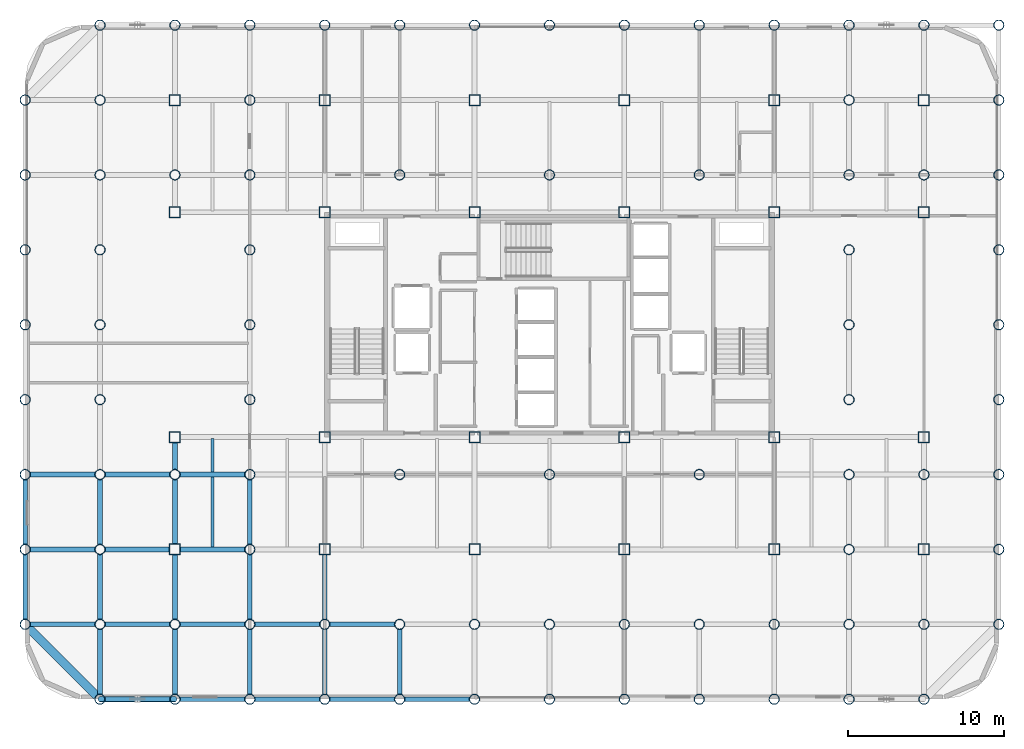
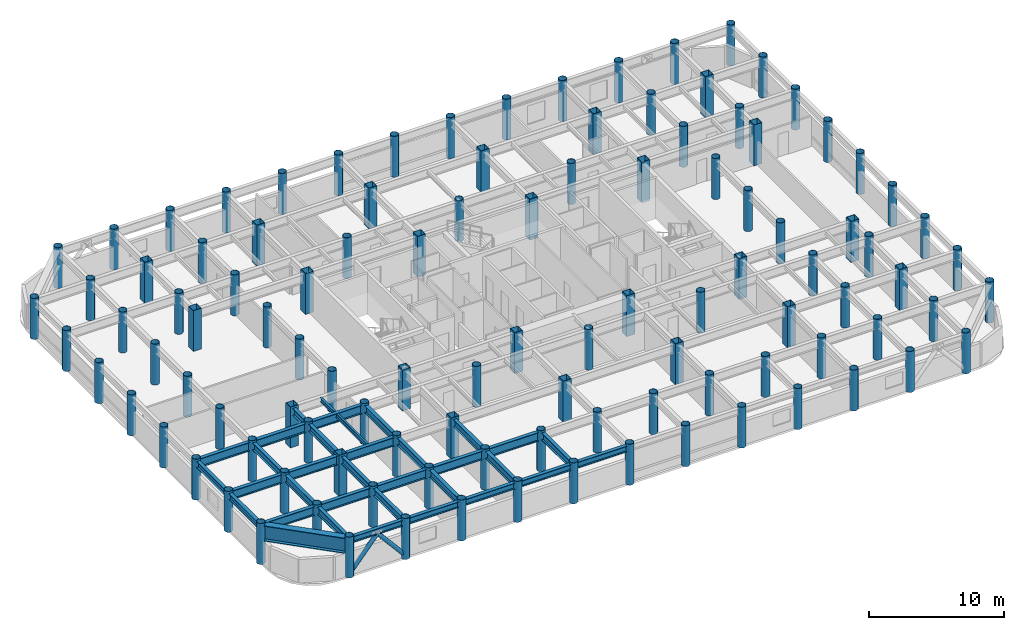
# One storey, part 1 of 19: 108 columns, 33 beams, 2 members.
"""IFC4 building model written with IfcOpenShell, lengths in metres."""

from ifc_helpers import new_model, si_unit, direction, frame, origin, origin_2d, place, context, subcontext, project, spatial, hollow_rectangle, hollow_circle, i_section, extrude, material, material_profile, profile_set, type_object, element, save


model = new_model("IFC4")

# Units and contexts
model_context = context("Model", 3, precision=1e-05, world=origin(), true_north=direction((0.0, 1.0)))
body_context = subcontext(model_context, "Body", "Model", "MODEL_VIEW")
ifc_project = project(units=[si_unit("LENGTHUNIT", "METRE"), si_unit("AREAUNIT", "SQUARE_METRE"), si_unit("VOLUMEUNIT", "CUBIC_METRE"), si_unit("PLANEANGLEUNIT", "RADIAN"), si_unit("MASSUNIT", "GRAM", prefix="KILO")], contexts=[model_context])

# Site, building, storey
site_placement = place(None, origin())
site = spatial("IfcSite", under=ifc_project, at=site_placement, CompositionType="ELEMENT")
building_placement = place(site_placement, origin())
building = spatial("IfcBuilding", under=site, at=building_placement, Name="Kallvorn Hotel Tower", CompositionType="ELEMENT")
storey_placement = place(building_placement, frame((0.0, 0.0, 165.5)))
storey = spatial("IfcBuildingStorey", under=building, at=storey_placement, Name="L41", CompositionType="ELEMENT", Elevation=165.5)

# Columns
ifc_material_1 = material(Name="Structural steel S355J2H", Category="steel")
ifc_material_profile_1 = material_profile(ifc_material_1, hollow_circle(Radius=0.330078125, WallThickness=0.028076171875, at=origin_2d()), Name="CHS 660x28")
ifc_profile_set_1 = profile_set([ifc_material_profile_1], Name="Structural steel S355J2H")
column_type_1 = type_object("IfcColumnType", Name="COL_CHS_660", PredefinedType="COLUMN", material=ifc_profile_set_1)
for number, where, z_axis, x_axis, name in (
    (1, (-33.60009765625, -19.199951171875, 0.0), (0.0, 0.0, 1.0), (1.0, 0.0, 0.0), "L41 Exoskeleton Column EC01"),
    (2, (-33.60009765625, -14.39990234375, 0.0), (0.0, 0.0, 1.0), (1.0, 0.0, 0.0), "L41 Exoskeleton Column EC02"),
    (3, (-33.60009765625, -9.60009765625, 0.0), (0.0, 0.0, 1.0), (1.0, 0.0, 0.0), "L41 Exoskeleton Column EC03"),
    (4, (-33.60009765625, -4.800048828125, 0.0), (0.0, 0.0, 1.0), (1.0, 0.0, 0.0), "L41 Exoskeleton Column EC04"),
    (5, (-33.60009765625, 0.0, 0.0), (0.0, 0.0, 1.0), (1.0, 0.0, 0.0), "L41 Exoskeleton Column EC05"),
    (6, (-33.60009765625, 4.800048828125, 0.0), (0.0, 0.0, 1.0), (1.0, 0.0, 0.0), "L41 Exoskeleton Column EC06"),
    (7, (-33.60009765625, 9.60009765625, 0.0), (0.0, 0.0, 1.0), (1.0, 0.0, 0.0), "L41 Exoskeleton Column EC07"),
    (8, (-33.60009765625, 14.39990234375, 0.0), (0.0, 0.0, 1.0), (1.0, 0.0, 0.0), "L41 Exoskeleton Column EC08"),
    (9, (-28.800048828125, -24.0, 0.0), (0.0, 0.0, 1.0), (1.0, 0.0, 0.0), "L41 Exoskeleton Column EC09"),
    (10, (-28.800048828125, -19.199951171875, 0.0), (0.0, 0.0, 1.0), (1.0, 0.0, 0.0), "L41 Exoskeleton Column EC10"),
    (11, (-28.800048828125, -14.39990234375, 0.0), (0.0, 0.0, 1.0), (1.0, 0.0, 0.0), "L41 Exoskeleton Column EC11"),
    (12, (-28.800048828125, -9.60009765625, 0.0), (0.0, 0.0, 1.0), (1.0, 0.0, 0.0), "L41 Exoskeleton Column EC12"),
    (13, (-28.800048828125, -4.800048828125, 0.0), (0.0, 0.0, 1.0), (1.0, 0.0, 0.0), "L41 Exoskeleton Column EC13"),
    (14, (-28.800048828125, 0.0, 0.0), (0.0, 0.0, 1.0), (1.0, 0.0, 0.0), "L41 Exoskeleton Column EC14"),
    (15, (-28.800048828125, 4.800048828125, 0.0), (0.0, 0.0, 1.0), (1.0, 0.0, 0.0), "L41 Exoskeleton Column EC15"),
    (16, (-28.800048828125, 9.60009765625, 0.0), (0.0, 0.0, 1.0), (1.0, 0.0, 0.0), "L41 Exoskeleton Column EC16"),
    (17, (-28.800048828125, 14.39990234375, 0.0), (0.0, 0.0, 1.0), (1.0, 0.0, 0.0), "L41 Exoskeleton Column EC17"),
    (18, (-28.800048828125, 19.199951171875, 0.0), (0.0, 0.0, 1.0), (1.0, 0.0, 0.0), "L41 Exoskeleton Column EC18"),
    (19, (-24.0, -24.0, 0.0), (0.0, 0.0, 1.0), (1.0, 0.0, 0.0), "L41 Exoskeleton Column EC19"),
    (20, (-24.0, -19.199951171875, 0.0), (0.0, 0.0, 1.0), (1.0, 0.0, 0.0), "L41 Exoskeleton Column EC20"),
    (21, (-24.0, -9.60009765625, 0.0), (0.0, 0.0, 1.0), (1.0, 0.0, 0.0), "L41 Exoskeleton Column EC21"),
    (22, (-24.0, 9.60009765625, 0.0), (0.0, 0.0, 1.0), (1.0, 0.0, 0.0), "L41 Exoskeleton Column EC22"),
    (23, (-24.0, 19.199951171875, 0.0), (0.0, 0.0, 1.0), (1.0, 0.0, 0.0), "L41 Exoskeleton Column EC23"),
    (24, (-19.199951171875, -24.0, 0.0), (0.0, 0.0, 1.0), (1.0, 0.0, 0.0), "L41 Exoskeleton Column EC24"),
    (25, (-19.199951171875, -19.199951171875, 0.0), (0.0, 0.0, 1.0), (1.0, 0.0, 0.0), "L41 Exoskeleton Column EC25"),
    (26, (-19.199951171875, -14.39990234375, 0.0), (0.0, 0.0, 1.0), (1.0, 0.0, 0.0), "L41 Exoskeleton Column EC26"),
    (27, (-19.199951171875, -9.60009765625, 0.0), (0.0, 0.0, 1.0), (1.0, 0.0, 0.0), "L41 Exoskeleton Column EC27"),
    (28, (-19.199951171875, -4.800048828125, 0.0), (0.0, 0.0, 1.0), (1.0, 0.0, 0.0), "L41 Exoskeleton Column EC28"),
    (29, (-19.199951171875, 0.0, 0.0), (0.0, 0.0, 1.0), (1.0, 0.0, 0.0), "L41 Exoskeleton Column EC29"),
    (30, (-19.199951171875, 4.800048828125, 0.0), (0.0, 0.0, 1.0), (1.0, 0.0, 0.0), "L41 Exoskeleton Column EC30"),
    (31, (-19.199951171875, 9.60009765625, 0.0), (0.0, 0.0, 1.0), (1.0, 0.0, 0.0), "L41 Exoskeleton Column EC31"),
    (32, (-19.199951171875, 14.39990234375, 0.0), (0.0, 0.0, 1.0), (1.0, 0.0, 0.0), "L41 Exoskeleton Column EC32"),
    (33, (-19.199951171875, 19.199951171875, 0.0), (0.0, 0.0, 1.0), (1.0, 0.0, 0.0), "L41 Exoskeleton Column EC33"),
    (34, (-14.39990234375, -24.0, 0.0), (0.0, 0.0, 1.0), (1.0, 0.0, 0.0), "L41 Exoskeleton Column EC34"),
    (35, (-14.39990234375, -19.199951171875, 0.0), (0.0, 0.0, 1.0), (1.0, 0.0, 0.0), "L41 Exoskeleton Column EC35"),
    (36, (-14.39990234375, 19.199951171875, 0.0), (0.0, 0.0, 1.0), (1.0, 0.0, 0.0), "L41 Exoskeleton Column EC36"),
    (37, (-9.60009765625, -24.0, 0.0), (0.0, 0.0, 1.0), (1.0, 0.0, 0.0), "L41 Exoskeleton Column EC37"),
    (38, (-9.60009765625, -19.199951171875, 0.0), (0.0, 0.0, 1.0), (1.0, 0.0, 0.0), "L41 Exoskeleton Column EC38"),
    (39, (-9.60009765625, -9.60009765625, 0.0), (0.0, 0.0, 1.0), (1.0, 0.0, 0.0), "L41 Exoskeleton Column EC39"),
    (40, (-9.60009765625, 9.60009765625, 0.0), (0.0, 0.0, 1.0), (1.0, 0.0, 0.0), "L41 Exoskeleton Column EC40"),
    (41, (-9.60009765625, 19.199951171875, 0.0), (0.0, 0.0, 1.0), (1.0, 0.0, 0.0), "L41 Exoskeleton Column EC41"),
    (42, (-4.800048828125, -24.0, 0.0), (0.0, 0.0, 1.0), (1.0, 0.0, 0.0), "L41 Exoskeleton Column EC42"),
    (43, (-4.800048828125, -19.199951171875, 0.0), (0.0, 0.0, 1.0), (1.0, 0.0, 0.0), "L41 Exoskeleton Column EC43"),
    (44, (-4.800048828125, 19.199951171875, 0.0), (0.0, 0.0, 1.0), (1.0, 0.0, 0.0), "L41 Exoskeleton Column EC44"),
    (45, (0.0, -24.0, 0.0), (0.0, 0.0, 1.0), (1.0, 0.0, 0.0), "L41 Exoskeleton Column EC45"),
    (46, (0.0, -19.199951171875, 0.0), (0.0, 0.0, 1.0), (1.0, 0.0, 0.0), "L41 Exoskeleton Column EC46"),
    (47, (0.0, -9.60009765625, 0.0), (0.0, 0.0, 1.0), (1.0, 0.0, 0.0), "L41 Exoskeleton Column EC47"),
    (48, (0.0, 9.60009765625, 0.0), (0.0, 0.0, 1.0), (1.0, 0.0, 0.0), "L41 Exoskeleton Column EC48"),
    (49, (0.0, 19.199951171875, 0.0), (0.0, 0.0, 1.0), (1.0, 0.0, 0.0), "L41 Exoskeleton Column EC49"),
    (50, (4.800048828125, -24.0, 0.0), (0.0, 0.0, 1.0), (1.0, 0.0, 0.0), "L41 Exoskeleton Column EC50"),
    (51, (4.800048828125, -19.199951171875, 0.0), (0.0, 0.0, 1.0), (1.0, 0.0, 0.0), "L41 Exoskeleton Column EC51"),
    (52, (4.800048828125, 19.199951171875, 0.0), (0.0, 0.0, 1.0), (1.0, 0.0, 0.0), "L41 Exoskeleton Column EC52"),
    (53, (9.60009765625, -24.0, 0.0), (0.0, 0.0, 1.0), (1.0, 0.0, 0.0), "L41 Exoskeleton Column EC53"),
    (54, (9.60009765625, -19.199951171875, 0.0), (0.0, 0.0, 1.0), (1.0, 0.0, 0.0), "L41 Exoskeleton Column EC54"),
    (55, (9.60009765625, -9.60009765625, 0.0), (0.0, 0.0, 1.0), (1.0, 0.0, 0.0), "L41 Exoskeleton Column EC55"),
    (56, (9.60009765625, 9.60009765625, 0.0), (0.0, 0.0, 1.0), (1.0, 0.0, 0.0), "L41 Exoskeleton Column EC56"),
    (57, (9.60009765625, 19.199951171875, 0.0), (0.0, 0.0, 1.0), (1.0, 0.0, 0.0), "L41 Exoskeleton Column EC57"),
    (58, (14.39990234375, -24.0, 0.0), (0.0, 0.0, 1.0), (1.0, 0.0, 0.0), "L41 Exoskeleton Column EC58"),
    (59, (14.39990234375, -19.199951171875, 0.0), (0.0, 0.0, 1.0), (1.0, 0.0, 0.0), "L41 Exoskeleton Column EC59"),
    (60, (14.39990234375, 19.199951171875, 0.0), (0.0, 0.0, 1.0), (1.0, 0.0, 0.0), "L41 Exoskeleton Column EC60"),
    (61, (19.199951171875, -24.0, 0.0), (0.0, 0.0, 1.0), (1.0, 0.0, 0.0), "L41 Exoskeleton Column EC61"),
    (62, (19.199951171875, -19.199951171875, 0.0), (0.0, 0.0, 1.0), (1.0, 0.0, 0.0), "L41 Exoskeleton Column EC62"),
    (63, (19.199951171875, -14.39990234375, 0.0), (0.0, 0.0, 1.0), (1.0, 0.0, 0.0), "L41 Exoskeleton Column EC63"),
    (64, (19.199951171875, -9.60009765625, 0.0), (0.0, 0.0, 1.0), (1.0, 0.0, 0.0), "L41 Exoskeleton Column EC64"),
    (65, (19.199951171875, -4.800048828125, 0.0), (0.0, 0.0, 1.0), (1.0, 0.0, 0.0), "L41 Exoskeleton Column EC65"),
    (66, (19.199951171875, 0.0, 0.0), (0.0, 0.0, 1.0), (1.0, 0.0, 0.0), "L41 Exoskeleton Column EC66"),
    (67, (19.199951171875, 4.800048828125, 0.0), (0.0, 0.0, 1.0), (1.0, 0.0, 0.0), "L41 Exoskeleton Column EC67"),
    (68, (19.199951171875, 9.60009765625, 0.0), (0.0, 0.0, 1.0), (1.0, 0.0, 0.0), "L41 Exoskeleton Column EC68"),
    (69, (19.199951171875, 14.39990234375, 0.0), (0.0, 0.0, 1.0), (1.0, 0.0, 0.0), "L41 Exoskeleton Column EC69"),
    (70, (19.199951171875, 19.199951171875, 0.0), (0.0, 0.0, 1.0), (1.0, 0.0, 0.0), "L41 Exoskeleton Column EC70"),
    (71, (24.0, -24.0, 0.0), (0.0, 0.0, 1.0), (1.0, 0.0, 0.0), "L41 Exoskeleton Column EC71"),
    (72, (24.0, -19.199951171875, 0.0), (0.0, 0.0, 1.0), (1.0, 0.0, 0.0), "L41 Exoskeleton Column EC72"),
    (73, (24.0, -9.60009765625, 0.0), (0.0, 0.0, 1.0), (1.0, 0.0, 0.0), "L41 Exoskeleton Column EC73"),
    (74, (24.0, 9.60009765625, 0.0), (0.0, 0.0, 1.0), (1.0, 0.0, 0.0), "L41 Exoskeleton Column EC74"),
    (75, (24.0, 19.199951171875, 0.0), (0.0, 0.0, 1.0), (1.0, 0.0, 0.0), "L41 Exoskeleton Column EC75"),
    (76, (28.800048828125, -19.199951171875, 0.0), (0.0, 0.0, 1.0), (1.0, 0.0, 0.0), "L41 Exoskeleton Column EC76"),
    (77, (28.800048828125, -14.39990234375, 0.0), (0.0, 0.0, 1.0), (1.0, 0.0, 0.0), "L41 Exoskeleton Column EC77"),
    (78, (28.800048828125, -9.60009765625, 0.0), (0.0, 0.0, 1.0), (1.0, 0.0, 0.0), "L41 Exoskeleton Column EC78"),
    (79, (28.800048828125, -4.800048828125, 0.0), (0.0, 0.0, 1.0), (1.0, 0.0, 0.0), "L41 Exoskeleton Column EC79"),
    (80, (28.800048828125, 0.0, 0.0), (0.0, 0.0, 1.0), (1.0, 0.0, 0.0), "L41 Exoskeleton Column EC80"),
    (81, (28.800048828125, 4.800048828125, 0.0), (0.0, 0.0, 1.0), (1.0, 0.0, 0.0), "L41 Exoskeleton Column EC81"),
    (82, (28.800048828125, 9.60009765625, 0.0), (0.0, 0.0, 1.0), (1.0, 0.0, 0.0), "L41 Exoskeleton Column EC82"),
    (83, (28.800048828125, 14.39990234375, 0.0), (0.0, 0.0, 1.0), (1.0, 0.0, 0.0), "L41 Exoskeleton Column EC83"),
    (84, (28.800048828125, 19.199951171875, 0.0), (0.0, 0.0, 1.0), (1.0, 0.0, 0.0), "L41 Exoskeleton Column EC84"),
):
    element("IfcColumn", number, at=place(storey_placement, frame(where, z_axis=z_axis, x_axis=x_axis)), inside=storey, type_object=column_type_1, Name=name, PredefinedType="COLUMN", context=body_context, shape_type="SweptSolid", body=[
        extrude(hollow_circle(Radius=0.330078125, WallThickness=0.028076171875, at=origin_2d()), origin(), (0.0, 0.0, 1.0), 3.699951171875),
    ])
ifc_material_2 = material(Name="Structural steel S355J2H", Category="steel")
ifc_material_profile_2 = material_profile(ifc_material_2, hollow_rectangle(XDim=0.699951171875, YDim=0.699951171875, WallThickness=0.031982421875, at=origin_2d()), Name="RHS 700x700x32")
ifc_profile_set_2 = profile_set([ifc_material_profile_2], Name="Structural steel S355J2H")
column_type_2 = type_object("IfcColumnType", Name="COL_RHS_700", PredefinedType="COLUMN", material=ifc_profile_set_2)
for number, where, z_axis, x_axis, name in (
    (85, (-24.0, -14.39990234375, 0.0), (0.0, 0.0, 1.0), (1.0, 0.0, 0.0), "L41 Inner Column IC01"),
    (86, (-24.0, -7.199951171875, 0.0), (0.0, 0.0, 1.0), (1.0, 0.0, 0.0), "L41 Inner Column IC02"),
    (87, (-24.0, 7.199951171875, 0.0), (0.0, 0.0, 1.0), (1.0, 0.0, 0.0), "L41 Inner Column IC03"),
    (88, (-24.0, 14.39990234375, 0.0), (0.0, 0.0, 1.0), (1.0, 0.0, 0.0), "L41 Inner Column IC04"),
    (89, (-14.39990234375, -14.39990234375, 0.0), (0.0, 0.0, 1.0), (1.0, 0.0, 0.0), "L41 Inner Column IC05"),
    (90, (-14.39990234375, -7.199951171875, 0.0), (0.0, 0.0, 1.0), (1.0, 0.0, 0.0), "L41 Inner Column IC06"),
    (91, (-14.39990234375, 7.199951171875, 0.0), (0.0, 0.0, 1.0), (1.0, 0.0, 0.0), "L41 Inner Column IC07"),
    (92, (-14.39990234375, 14.39990234375, 0.0), (0.0, 0.0, 1.0), (1.0, 0.0, 0.0), "L41 Inner Column IC08"),
    (93, (-4.800048828125, -14.39990234375, 0.0), (0.0, 0.0, 1.0), (1.0, 0.0, 0.0), "L41 Inner Column IC09"),
    (94, (-4.800048828125, -7.199951171875, 0.0), (0.0, 0.0, 1.0), (1.0, 0.0, 0.0), "L41 Inner Column IC10"),
    (95, (-4.800048828125, 7.199951171875, 0.0), (0.0, 0.0, 1.0), (1.0, 0.0, 0.0), "L41 Inner Column IC11"),
    (96, (-4.800048828125, 14.39990234375, 0.0), (0.0, 0.0, 1.0), (1.0, 0.0, 0.0), "L41 Inner Column IC12"),
    (97, (4.800048828125, -14.39990234375, 0.0), (0.0, 0.0, 1.0), (1.0, 0.0, 0.0), "L41 Inner Column IC13"),
    (98, (4.800048828125, -7.199951171875, 0.0), (0.0, 0.0, 1.0), (1.0, 0.0, 0.0), "L41 Inner Column IC14"),
    (99, (4.800048828125, 7.199951171875, 0.0), (0.0, 0.0, 1.0), (1.0, 0.0, 0.0), "L41 Inner Column IC15"),
    (100, (4.800048828125, 14.39990234375, 0.0), (0.0, 0.0, 1.0), (1.0, 0.0, 0.0), "L41 Inner Column IC16"),
    (101, (14.39990234375, -14.39990234375, 0.0), (0.0, 0.0, 1.0), (1.0, 0.0, 0.0), "L41 Inner Column IC17"),
    (102, (14.39990234375, -7.199951171875, 0.0), (0.0, 0.0, 1.0), (1.0, 0.0, 0.0), "L41 Inner Column IC18"),
    (103, (14.39990234375, 7.199951171875, 0.0), (0.0, 0.0, 1.0), (1.0, 0.0, 0.0), "L41 Inner Column IC19"),
    (104, (14.39990234375, 14.39990234375, 0.0), (0.0, 0.0, 1.0), (1.0, 0.0, 0.0), "L41 Inner Column IC20"),
    (105, (24.0, -14.39990234375, 0.0), (0.0, 0.0, 1.0), (1.0, 0.0, 0.0), "L41 Inner Column IC21"),
    (106, (24.0, -7.199951171875, 0.0), (0.0, 0.0, 1.0), (1.0, 0.0, 0.0), "L41 Inner Column IC22"),
    (107, (24.0, 7.199951171875, 0.0), (0.0, 0.0, 1.0), (1.0, 0.0, 0.0), "L41 Inner Column IC23"),
    (108, (24.0, 14.39990234375, 0.0), (0.0, 0.0, 1.0), (1.0, 0.0, 0.0), "L41 Inner Column IC24"),
):
    element("IfcColumn", number, at=place(storey_placement, frame(where, z_axis=z_axis, x_axis=x_axis)), inside=storey, type_object=column_type_2, Name=name, PredefinedType="COLUMN", context=body_context, shape_type="SweptSolid", body=[
        extrude(hollow_rectangle(XDim=0.699951171875, YDim=0.699951171875, WallThickness=0.031982421875, at=origin_2d()), origin(), (0.0, 0.0, 1.0), 3.699951171875),
    ])

# Beams
ifc_material_3 = material(Name="Structural steel S355JR", Category="steel")
ifc_material_profile_3 = material_profile(ifc_material_3, i_section(OverallWidth=0.300048828125, OverallDepth=0.550048828125, WebThickness=0.014892578125, FlangeThickness=0.029052734375, at=origin_2d()), Name="HE 550 B")
ifc_profile_set_3 = profile_set([ifc_material_profile_3], Name="Structural steel S355JR")
beam_type_1 = type_object("IfcBeamType", Name="BM_HE550B", PredefinedType="SPANDREL", material=ifc_profile_set_3)
for number, where, z_axis, x_axis, name in (
    (109, (-28.47998046875, -24.0, 3.2451171875), (1.0, 0.0, 0.0), (0.0, 1.0, 0.0), "L42 Perimeter Spandrel 151"),
    (110, (-23.679931640625, -24.0, 3.2451171875), (1.0, 0.0, 0.0), (0.0, 1.0, 0.0), "L42 Perimeter Spandrel 152"),
    (111, (-18.8798828125, -24.0, 3.2451171875), (1.0, 0.0, 0.0), (0.0, 1.0, 0.0), "L42 Perimeter Spandrel 153"),
):
    element("IfcBeam", number, at=place(storey_placement, frame(where, z_axis=z_axis, x_axis=x_axis)), inside=storey, type_object=beam_type_1, Name=name, PredefinedType="SPANDREL", context=body_context, shape_type="SweptSolid", body=[
        extrude(i_section(OverallWidth=0.300048828125, OverallDepth=0.550048828125, WebThickness=0.014892578125, FlangeThickness=0.029052734375, at=origin_2d()), origin(), (0.0, 0.0, 1.0), 4.159912109375),
    ])
beam_1_placement = place(storey_placement, frame((-14.080078125, -24.0, 3.2451171875), z_axis=(1.0, 0.0, 0.0), x_axis=(0.0, 1.0, 0.0)))
element("IfcBeam", 112, at=beam_1_placement, inside=storey, type_object=beam_type_1, Name="L42 Perimeter Spandrel 154", PredefinedType="SPANDREL", context=body_context, shape_type="SweptSolid", body=[
    extrude(i_section(OverallWidth=0.300048828125, OverallDepth=0.550048828125, WebThickness=0.014892578125, FlangeThickness=0.029052734375, at=origin_2d()), origin(), (0.0, 0.0, 1.0), 4.16015625),
])
for number, where, z_axis, x_axis, name in (
    (113, (-9.280029296875, -24.0, 3.2451171875), (1.0, 0.0, 0.0), (0.0, 1.0, 0.0), "L42 Perimeter Spandrel 155"),
    (114, (-33.60009765625, -18.8798828125, 3.2451171875), (0.0, 1.0, 0.0), (-1.0, 0.0, 0.0), "L42 Perimeter Spandrel 174"),
):
    element("IfcBeam", number, at=place(storey_placement, frame(where, z_axis=z_axis, x_axis=x_axis)), inside=storey, type_object=beam_type_1, Name=name, PredefinedType="SPANDREL", context=body_context, shape_type="SweptSolid", body=[
        extrude(i_section(OverallWidth=0.300048828125, OverallDepth=0.550048828125, WebThickness=0.014892578125, FlangeThickness=0.029052734375, at=origin_2d()), origin(), (0.0, 0.0, 1.0), 4.159912109375),
    ])
beam_2_placement = place(storey_placement, frame((-33.60009765625, -14.080078125, 3.2451171875), z_axis=(0.0, 1.0, 0.0), x_axis=(-1.0, 0.0, 0.0)))
element("IfcBeam", 115, at=beam_2_placement, inside=storey, type_object=beam_type_1, Name="L42 Perimeter Spandrel 175", PredefinedType="SPANDREL", context=body_context, shape_type="SweptSolid", body=[
    extrude(i_section(OverallWidth=0.300048828125, OverallDepth=0.550048828125, WebThickness=0.014892578125, FlangeThickness=0.029052734375, at=origin_2d()), origin(), (0.0, 0.0, 1.0), 4.16015625),
])
ifc_material_4 = material(Name="Structural steel S355JR", Category="steel")
ifc_material_profile_4 = material_profile(ifc_material_4, i_section(OverallWidth=0.300048828125, OverallDepth=0.64990234375, WebThickness=0.01611328125, FlangeThickness=0.031005859375, at=origin_2d()), Name="HE 650 B")
ifc_profile_set_4 = profile_set([ifc_material_profile_4], Name="Structural steel S355JR")
beam_type_2 = type_object("IfcBeamType", Name="BM_HE650B", PredefinedType="BEAM", material=ifc_profile_set_4)
beam_3_placement = place(storey_placement, frame((-28.800048828125, -23.695068359375, 3.195068359375), z_axis=(0.0, 1.0, 0.0), x_axis=(-1.0, 0.0, 0.0)))
element("IfcBeam", 116, at=beam_3_placement, inside=storey, type_object=beam_type_2, Name="L42 Primary Y-Girder 73", PredefinedType="BEAM", context=body_context, shape_type="SweptSolid", body=[
    extrude(i_section(OverallWidth=0.300048828125, OverallDepth=0.64990234375, WebThickness=0.01611328125, FlangeThickness=0.031005859375, at=origin_2d()), origin(), (0.0, 0.0, 1.0), 4.190185546875),
])
for number, where, z_axis, x_axis, name in (
    (117, (-28.800048828125, -18.89501953125, 3.195068359375), (0.0, 1.0, 0.0), (-1.0, 0.0, 0.0), "L42 Primary Y-Girder 74"),
    (118, (-28.800048828125, -14.094970703125, 3.195068359375), (0.0, 1.0, 0.0), (-1.0, 0.0, 0.0), "L42 Primary Y-Girder 75"),
):
    element("IfcBeam", number, at=place(storey_placement, frame(where, z_axis=z_axis, x_axis=x_axis)), inside=storey, type_object=beam_type_2, Name=name, PredefinedType="BEAM", context=body_context, shape_type="SweptSolid", body=[
        extrude(i_section(OverallWidth=0.300048828125, OverallDepth=0.64990234375, WebThickness=0.01611328125, FlangeThickness=0.031005859375, at=origin_2d()), origin(), (0.0, 0.0, 1.0), 4.18994140625),
    ])
beam_4_placement = place(storey_placement, frame((-24.0, -23.695068359375, 3.195068359375), z_axis=(0.0, 1.0, 0.0), x_axis=(-1.0, 0.0, 0.0)))
element("IfcBeam", 119, at=beam_4_placement, inside=storey, type_object=beam_type_2, Name="L42 Primary Y-Girder 82", PredefinedType="BEAM", context=body_context, shape_type="SweptSolid", body=[
    extrude(i_section(OverallWidth=0.300048828125, OverallDepth=0.64990234375, WebThickness=0.01611328125, FlangeThickness=0.031005859375, at=origin_2d()), origin(), (0.0, 0.0, 1.0), 4.190185546875),
])
for number, where, z_axis, x_axis, name in (
    (120, (-24.0, -18.89501953125, 3.195068359375), (0.0, 1.0, 0.0), (-1.0, 0.0, 0.0), "L42 Primary Y-Girder 83"),
    (121, (-24.0, -14.074951171875, 3.195068359375), (0.0, 1.0, 0.0), (-1.0, 0.0, 0.0), "L42 Primary Y-Girder 84"),
):
    element("IfcBeam", number, at=place(storey_placement, frame(where, z_axis=z_axis, x_axis=x_axis)), inside=storey, type_object=beam_type_2, Name=name, PredefinedType="BEAM", context=body_context, shape_type="SweptSolid", body=[
        extrude(i_section(OverallWidth=0.300048828125, OverallDepth=0.64990234375, WebThickness=0.01611328125, FlangeThickness=0.031005859375, at=origin_2d()), origin(), (0.0, 0.0, 1.0), 4.169921875),
    ])
beam_5_placement = place(storey_placement, frame((-24.0, -9.294921875, 3.195068359375), z_axis=(0.0, 1.0, 0.0), x_axis=(-1.0, 0.0, 0.0)))
element("IfcBeam", 122, at=beam_5_placement, inside=storey, type_object=beam_type_2, Name="L42 Primary Y-Girder 85", PredefinedType="BEAM", context=body_context, shape_type="SweptSolid", body=[
    extrude(i_section(OverallWidth=0.300048828125, OverallDepth=0.64990234375, WebThickness=0.01611328125, FlangeThickness=0.031005859375, at=origin_2d()), origin(), (0.0, 0.0, 1.0), 1.77001953125),
])
beam_6_placement = place(storey_placement, frame((-19.199951171875, -23.695068359375, 3.195068359375), z_axis=(0.0, 1.0, 0.0), x_axis=(-1.0, 0.0, 0.0)))
element("IfcBeam", 123, at=beam_6_placement, inside=storey, type_object=beam_type_2, Name="L42 Primary Y-Girder 89", PredefinedType="BEAM", context=body_context, shape_type="SweptSolid", body=[
    extrude(i_section(OverallWidth=0.300048828125, OverallDepth=0.64990234375, WebThickness=0.01611328125, FlangeThickness=0.031005859375, at=origin_2d()), origin(), (0.0, 0.0, 1.0), 4.190185546875),
])
for number, where, z_axis, x_axis, name in (
    (124, (-19.199951171875, -18.89501953125, 3.195068359375), (0.0, 1.0, 0.0), (-1.0, 0.0, 0.0), "L42 Primary Y-Girder 90"),
    (125, (-19.199951171875, -14.094970703125, 3.195068359375), (0.0, 1.0, 0.0), (-1.0, 0.0, 0.0), "L42 Primary Y-Girder 91"),
):
    element("IfcBeam", number, at=place(storey_placement, frame(where, z_axis=z_axis, x_axis=x_axis)), inside=storey, type_object=beam_type_2, Name=name, PredefinedType="BEAM", context=body_context, shape_type="SweptSolid", body=[
        extrude(i_section(OverallWidth=0.300048828125, OverallDepth=0.64990234375, WebThickness=0.01611328125, FlangeThickness=0.031005859375, at=origin_2d()), origin(), (0.0, 0.0, 1.0), 4.18994140625),
    ])
beam_7_placement = place(storey_placement, frame((-14.39990234375, -23.695068359375, 3.195068359375), z_axis=(0.0, 1.0, 0.0), x_axis=(-1.0, 0.0, 0.0)))
element("IfcBeam", 126, at=beam_7_placement, inside=storey, type_object=beam_type_2, Name="L42 Primary Y-Girder 98", PredefinedType="BEAM", context=body_context, shape_type="SweptSolid", body=[
    extrude(i_section(OverallWidth=0.300048828125, OverallDepth=0.64990234375, WebThickness=0.01611328125, FlangeThickness=0.031005859375, at=origin_2d()), origin(), (0.0, 0.0, 1.0), 4.190185546875),
])
beam_8_placement = place(storey_placement, frame((-14.39990234375, -18.89501953125, 3.195068359375), z_axis=(0.0, 1.0, 0.0), x_axis=(-1.0, 0.0, 0.0)))
element("IfcBeam", 127, at=beam_8_placement, inside=storey, type_object=beam_type_2, Name="L42 Primary Y-Girder 99", PredefinedType="BEAM", context=body_context, shape_type="SweptSolid", body=[
    extrude(i_section(OverallWidth=0.300048828125, OverallDepth=0.64990234375, WebThickness=0.01611328125, FlangeThickness=0.031005859375, at=origin_2d()), origin(), (0.0, 0.0, 1.0), 4.169921875),
])
beam_9_placement = place(storey_placement, frame((-9.60009765625, -23.695068359375, 3.195068359375), z_axis=(0.0, 1.0, 0.0), x_axis=(-1.0, 0.0, 0.0)))
element("IfcBeam", 128, at=beam_9_placement, inside=storey, type_object=beam_type_2, Name="L42 Primary Y-Girder 103", PredefinedType="BEAM", context=body_context, shape_type="SweptSolid", body=[
    extrude(i_section(OverallWidth=0.300048828125, OverallDepth=0.64990234375, WebThickness=0.01611328125, FlangeThickness=0.031005859375, at=origin_2d()), origin(), (0.0, 0.0, 1.0), 4.190185546875),
])
ifc_material_5 = material(Name="Structural steel S355JR", Category="steel")
ifc_material_profile_5 = material_profile(ifc_material_5, i_section(OverallWidth=0.300048828125, OverallDepth=0.800048828125, WebThickness=0.017578125, FlangeThickness=0.032958984375, at=origin_2d()), Name="HE 800 B")
ifc_profile_set_5 = profile_set([ifc_material_profile_5], Name="Structural steel S355JR")
beam_type_3 = type_object("IfcBeamType", Name="BM_HE800B", PredefinedType="BEAM", material=ifc_profile_set_5)
beam_10_placement = place(storey_placement, frame((-33.294921875, -19.199951171875, 3.1201171875), z_axis=(1.0, 0.0, 0.0), x_axis=(0.0, 1.0, 0.0)))
element("IfcBeam", 129, at=beam_10_placement, inside=storey, type_object=beam_type_3, Name="L42 Primary X-Girder 01", PredefinedType="BEAM", context=body_context, shape_type="SweptSolid", body=[
    extrude(i_section(OverallWidth=0.300048828125, OverallDepth=0.800048828125, WebThickness=0.017578125, FlangeThickness=0.032958984375, at=origin_2d()), origin(), (0.0, 0.0, 1.0), 4.18994140625),
])
for number, where, z_axis, x_axis, name in (
    (130, (-28.4951171875, -19.199951171875, 3.1201171875), (1.0, 0.0, 0.0), (0.0, 1.0, 0.0), "L42 Primary X-Girder 02"),
    (131, (-23.695068359375, -19.199951171875, 3.1201171875), (1.0, 0.0, 0.0), (0.0, 1.0, 0.0), "L42 Primary X-Girder 03"),
):
    element("IfcBeam", number, at=place(storey_placement, frame(where, z_axis=z_axis, x_axis=x_axis)), inside=storey, type_object=beam_type_3, Name=name, PredefinedType="BEAM", context=body_context, shape_type="SweptSolid", body=[
        extrude(i_section(OverallWidth=0.300048828125, OverallDepth=0.800048828125, WebThickness=0.017578125, FlangeThickness=0.032958984375, at=origin_2d()), origin(), (0.0, 0.0, 1.0), 4.190185546875),
    ])
for number, where, z_axis, x_axis, name in (
    (132, (-18.89501953125, -19.199951171875, 3.1201171875), (1.0, 0.0, 0.0), (0.0, 1.0, 0.0), "L42 Primary X-Girder 04"),
    (133, (-14.094970703125, -19.199951171875, 3.1201171875), (1.0, 0.0, 0.0), (0.0, 1.0, 0.0), "L42 Primary X-Girder 05"),
    (134, (-33.294921875, -14.39990234375, 3.1201171875), (1.0, 0.0, 0.0), (0.0, 1.0, 0.0), "L42 Primary X-Girder 14"),
):
    element("IfcBeam", number, at=place(storey_placement, frame(where, z_axis=z_axis, x_axis=x_axis)), inside=storey, type_object=beam_type_3, Name=name, PredefinedType="BEAM", context=body_context, shape_type="SweptSolid", body=[
        extrude(i_section(OverallWidth=0.300048828125, OverallDepth=0.800048828125, WebThickness=0.017578125, FlangeThickness=0.032958984375, at=origin_2d()), origin(), (0.0, 0.0, 1.0), 4.18994140625),
    ])
for number, where, z_axis, x_axis, name in (
    (135, (-28.4951171875, -14.39990234375, 3.1201171875), (1.0, 0.0, 0.0), (0.0, 1.0, 0.0), "L42 Primary X-Girder 15"),
    (136, (-23.675048828125, -14.39990234375, 3.1201171875), (1.0, 0.0, 0.0), (0.0, 1.0, 0.0), "L42 Primary X-Girder 16"),
):
    element("IfcBeam", number, at=place(storey_placement, frame(where, z_axis=z_axis, x_axis=x_axis)), inside=storey, type_object=beam_type_3, Name=name, PredefinedType="BEAM", context=body_context, shape_type="SweptSolid", body=[
        extrude(i_section(OverallWidth=0.300048828125, OverallDepth=0.800048828125, WebThickness=0.017578125, FlangeThickness=0.032958984375, at=origin_2d()), origin(), (0.0, 0.0, 1.0), 4.170166015625),
    ])
beam_11_placement = place(storey_placement, frame((-33.294921875, -9.60009765625, 3.1201171875), z_axis=(1.0, 0.0, 0.0), x_axis=(0.0, 1.0, 0.0)))
element("IfcBeam", 137, at=beam_11_placement, inside=storey, type_object=beam_type_3, Name="L42 Primary X-Girder 24", PredefinedType="BEAM", context=body_context, shape_type="SweptSolid", body=[
    extrude(i_section(OverallWidth=0.300048828125, OverallDepth=0.800048828125, WebThickness=0.017578125, FlangeThickness=0.032958984375, at=origin_2d()), origin(), (0.0, 0.0, 1.0), 4.18994140625),
])
for number, where, z_axis, x_axis, name in (
    (138, (-28.4951171875, -9.60009765625, 3.1201171875), (1.0, 0.0, 0.0), (0.0, 1.0, 0.0), "L42 Primary X-Girder 25"),
    (139, (-23.695068359375, -9.60009765625, 3.1201171875), (1.0, 0.0, 0.0), (0.0, 1.0, 0.0), "L42 Primary X-Girder 26"),
):
    element("IfcBeam", number, at=place(storey_placement, frame(where, z_axis=z_axis, x_axis=x_axis)), inside=storey, type_object=beam_type_3, Name=name, PredefinedType="BEAM", context=body_context, shape_type="SweptSolid", body=[
        extrude(i_section(OverallWidth=0.300048828125, OverallDepth=0.800048828125, WebThickness=0.017578125, FlangeThickness=0.032958984375, at=origin_2d()), origin(), (0.0, 0.0, 1.0), 4.190185546875),
    ])
ifc_material_6 = material(Name="Structural steel S355JR", Category="steel")
ifc_material_profile_6 = material_profile(ifc_material_6, i_section(OverallWidth=0.179931640625, OverallDepth=0.39990234375, WebThickness=0.008544921875, FlangeThickness=0.013427734375, at=origin_2d()), Name="IPE 400")
ifc_profile_set_6 = profile_set([ifc_material_profile_6], Name="Structural steel S355JR")
beam_type_4 = type_object("IfcBeamType", Name="BM_IPE400", PredefinedType="JOIST", material=ifc_profile_set_6)
beam_12_placement = place(storey_placement, frame((-21.60009765625, -14.300048828125, 3.320068359375), z_axis=(0.0, 1.0, 0.0), x_axis=(-1.0, 0.0, 0.0)))
element("IfcBeam", 140, at=beam_12_placement, inside=storey, type_object=beam_type_4, Name="L42 Secondary Composite Joist 192", PredefinedType="JOIST", context=body_context, shape_type="SweptSolid", body=[
    extrude(i_section(OverallWidth=0.179931640625, OverallDepth=0.39990234375, WebThickness=0.008544921875, FlangeThickness=0.013427734375, at=origin_2d()), origin(), (0.0, 0.0, 1.0), 7.0),
])
ifc_material_7 = material(Name="Structural steel S355JR", Category="steel")
ifc_material_profile_7 = material_profile(ifc_material_7, i_section(OverallWidth=0.550048828125, OverallDepth=1.39990234375, WebThickness=0.02490234375, FlangeThickness=0.044921875, at=origin_2d()), Name="PG 1400x550x25x45")
ifc_profile_set_7 = profile_set([ifc_material_profile_7], Name="Structural steel S355JR")
beam_type_5 = type_object("IfcBeamType", Name="BM_PG_1400", PredefinedType="BEAM", material=ifc_profile_set_7)
beam_13_placement = place(storey_placement, frame((-33.373779296875, -19.42626953125, 2.820068359375), z_axis=(0.707106781187, -0.707106781187, 0.0), x_axis=(0.707106781187, 0.707106781187, 0.0)))
element("IfcBeam", 141, at=beam_13_placement, inside=storey, type_object=beam_type_5, Name="L42 Rounded Corner Tie Beam 189", PredefinedType="BEAM", context=body_context, shape_type="SweptSolid", body=[
    extrude(i_section(OverallWidth=0.550048828125, OverallDepth=1.39990234375, WebThickness=0.02490234375, FlangeThickness=0.044921875, at=origin_2d()), origin(), (0.0, 0.0, 1.0), 6.148193359375),
])

# Members
ifc_material_8 = material(Name="Structural steel S355J2H", Category="steel")
ifc_material_profile_8 = material_profile(ifc_material_8, hollow_circle(Radius=0.177734375, WallThickness=0.01416015625, at=origin_2d()), Name="CHS 355.6x14.2")
ifc_profile_set_8 = profile_set([ifc_material_profile_8], Name="Structural steel S355J2H")
member_type = type_object("IfcMemberType", Name="MBR_EXO_CHS355", PredefinedType="BRACE", material=ifc_profile_set_8)
for number, where, z_axis, x_axis, name in (
    (142, (-28.787109375, -24.0, 0.1953125), (0.646833296797, 0.0, 0.762631422218), (0.0, 1.0, 0.0), "L41 Exoskeleton K-Brace S1A"),
    (143, (-24.012939453125, -24.0, 0.1953125), (-0.646833296797, 0.0, 0.762631422218), (0.0, -1.0, 0.0), "L41 Exoskeleton K-Brace S1B"),
):
    element("IfcMember", number, at=place(storey_placement, frame(where, z_axis=z_axis, x_axis=x_axis)), inside=storey, type_object=member_type, Name=name, PredefinedType="BRACE", context=body_context, shape_type="SweptSolid", body=[
        extrude(hollow_circle(Radius=0.177734375, WallThickness=0.01416015625, at=origin_2d()), origin(), (0.0, 0.0, 1.0), 3.670654296875),
    ])

save(model, "model.ifc")
